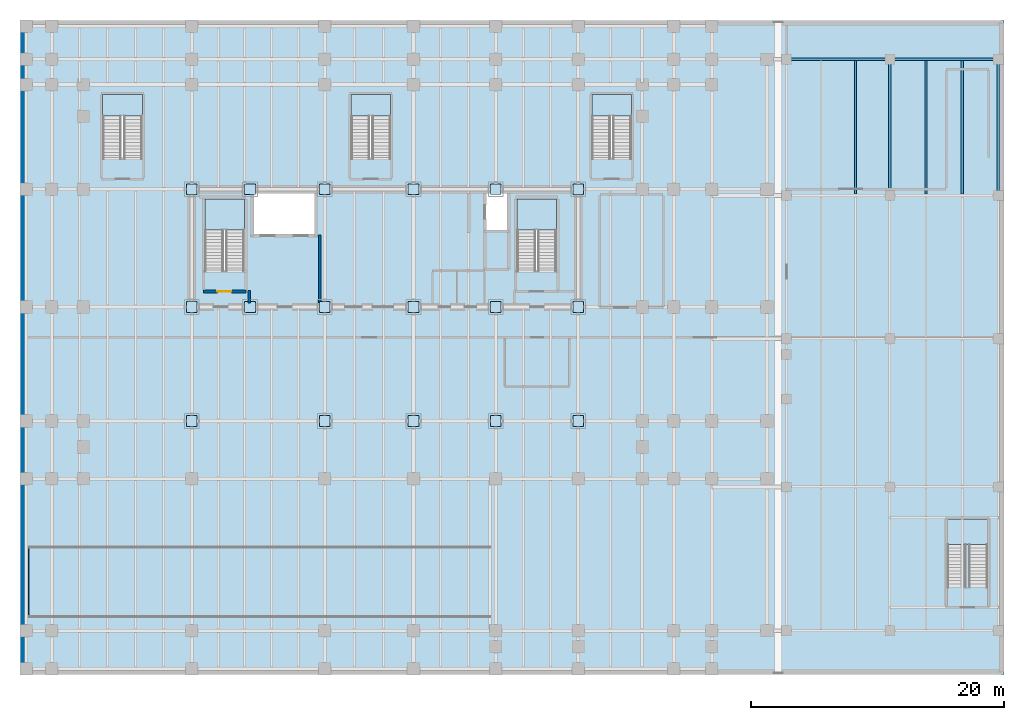
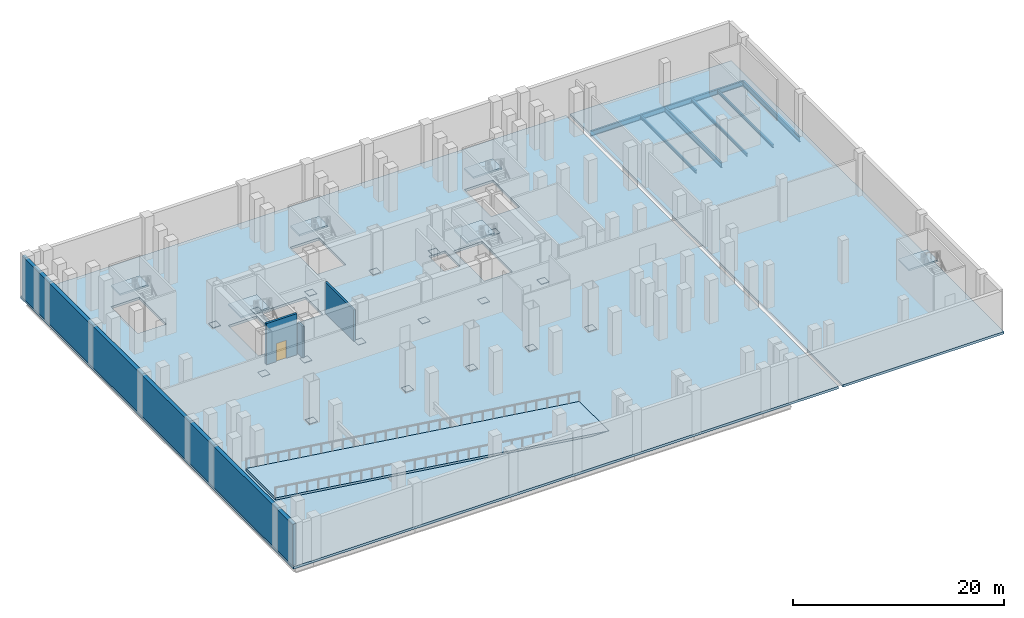
# One storey, part 7 of 18: 17 plates, 9 slabs, 7 beams, 4 walls, 1 door, 8 openings, 6 elements without a shape of their own.
"""IFC4 building model written with IfcOpenShell, lengths in metres."""

from ifc_helpers import new_model, si_unit, direction, frame, frame_2d, origin, origin_2d, place, context, subcontext, project, spatial, polyline, rectangle, i_section, outline, extrude, material, layer, layer_set, material_profile, profile_set, type_object, element, fill, aggregate, save


model = new_model("IFC4")

# Units and contexts
model_context = context("Model", 3, precision=1e-05, world=origin(), true_north=direction((0.0, 1.0)))
body_context = subcontext(model_context, "Body", "Model", "MODEL_VIEW")
ifc_project = project(units=[si_unit("LENGTHUNIT", "METRE"), si_unit("AREAUNIT", "SQUARE_METRE"), si_unit("VOLUMEUNIT", "CUBIC_METRE"), si_unit("PLANEANGLEUNIT", "RADIAN"), si_unit("MASSUNIT", "GRAM", prefix="KILO")], contexts=[model_context])

# Site, building, storey
site_placement = place(None, origin())
site = spatial("IfcSite", under=ifc_project, at=site_placement, CompositionType="ELEMENT")
building_placement = place(site_placement, origin())
building = spatial("IfcBuilding", under=site, at=building_placement, Name="Noeulbin Bourse Tower", CompositionType="ELEMENT")
storey_placement = place(building_placement, frame((0.0, 0.0, -5.0)))
storey = spatial("IfcBuildingStorey", under=building, at=storey_placement, Name="B01", CompositionType="ELEMENT", Elevation=-5.0)

# Beams
ifc_material_1 = material(Name="Steel S355", Category="steel")
ifc_material_profile_1 = material_profile(ifc_material_1, i_section(OverallWidth=0.199951171875, OverallDepth=0.60009765625, WebThickness=0.010986328125, FlangeThickness=0.01708984375, FilletRadius=0.02197265625, at=origin_2d()), Name="H-600x200x11x17", Category="LoadBearing")
ifc_profile_set_1 = profile_set([ifc_material_profile_1], Name="Steel S355")
beam_type_1 = type_object("IfcBeamType", Name="BM-GRD-600", PredefinedType="USERDEFINED", material=ifc_profile_set_1)
beam_1_placement = place(storey_placement, frame((60.449951171875, 48.550048828125, -0.580078125), z_axis=(1.0, 0.0, 0.0), x_axis=(0.0, 1.0, 0.0)))
element("IfcBeam", 1, at=beam_1_placement, inside=storey, type_object=beam_type_1, Name="Market Hall Girder EW B01-09", ObjectType="GIRDER", PredefinedType="USERDEFINED", context=body_context, shape_type="SweptSolid", body=[
    extrude(i_section(OverallWidth=0.199951171875, OverallDepth=0.60009765625, WebThickness=0.010986328125, FlangeThickness=0.01708984375, FilletRadius=0.02197265625, at=origin_2d()), origin(), (0.0, 0.0, 1.0), 8.150146484375),
])
beam_2_placement = place(storey_placement, frame((68.60009765625, 48.550048828125, -0.580078125), z_axis=(1.0, 0.0, 0.0), x_axis=(0.0, 1.0, 0.0)))
element("IfcBeam", 2, at=beam_2_placement, inside=storey, type_object=beam_type_1, Name="Market Hall Girder EW B01-10", ObjectType="GIRDER", PredefinedType="USERDEFINED", context=body_context, shape_type="SweptSolid", body=[
    extrude(i_section(OverallWidth=0.199951171875, OverallDepth=0.60009765625, WebThickness=0.010986328125, FlangeThickness=0.01708984375, FilletRadius=0.02197265625, at=origin_2d()), origin(), (0.0, 0.0, 1.0), 8.5498046875),
])
for number, where, z_axis, x_axis, name in (
    (3, (68.60009765625, 37.800048828125, -0.580078125), (0.0, 1.0, 0.0), (-1.0, 0.0, 0.0), "Market Hall Girder NS B01-18"),
    (4, (77.14990234375, 37.800048828125, -0.580078125), (0.0, 1.0, 0.0), (-1.0, 0.0, 0.0), "Market Hall Girder NS B01-22"),
):
    element("IfcBeam", number, at=place(storey_placement, frame(where, z_axis=z_axis, x_axis=x_axis)), inside=storey, type_object=beam_type_1, Name=name, ObjectType="GIRDER", PredefinedType="USERDEFINED", context=body_context, shape_type="SweptSolid", body=[
        extrude(i_section(OverallWidth=0.199951171875, OverallDepth=0.60009765625, WebThickness=0.010986328125, FlangeThickness=0.01708984375, FilletRadius=0.02197265625, at=origin_2d()), origin(), (0.0, 0.0, 1.0), 10.75),
    ])
ifc_material_profile_2 = material_profile(ifc_material_1, i_section(OverallWidth=0.175048828125, OverallDepth=0.35009765625, WebThickness=0.007080078125, FlangeThickness=0.010986328125, FilletRadius=0.013916015625, at=origin_2d()), Name="H-350x175x7x11", Category="LoadBearing")
ifc_profile_set_2 = profile_set([ifc_material_profile_2], Name="Steel S355")
beam_type_2 = type_object("IfcBeamType", Name="BM-JST-350", PredefinedType="JOIST", material=ifc_profile_set_2)
for number, where, z_axis, x_axis, name in (
    (5, (65.88330078125, 37.89990234375, -0.455078125), (0.0, 1.0, 0.0), (-1.0, 0.0, 0.0), "Market Hall Secondary Joist B01-08"),
    (6, (71.449951171875, 37.89990234375, -0.455078125), (0.0, 1.0, 0.0), (-1.0, 0.0, 0.0), "Market Hall Secondary Joist B01-12"),
    (7, (74.300048828125, 37.89990234375, -0.455078125), (0.0, 1.0, 0.0), (-1.0, 0.0, 0.0), "Market Hall Secondary Joist B01-16"),
):
    element("IfcBeam", number, at=place(storey_placement, frame(where, z_axis=z_axis, x_axis=x_axis)), inside=storey, type_object=beam_type_2, Name=name, PredefinedType="JOIST", context=body_context, shape_type="SweptSolid", body=[
        extrude(i_section(OverallWidth=0.175048828125, OverallDepth=0.35009765625, WebThickness=0.007080078125, FlangeThickness=0.010986328125, FilletRadius=0.013916015625, at=origin_2d()), origin(), (0.0, 0.0, 1.0), 10.550048828125),
    ])

# Plates
ifc_layer_1 = layer(ifc_material_1, 0.030029296875)
ifc_layer_set_1 = layer_set([ifc_layer_1], Name="Steel S355")
plate_type = type_object("IfcPlateType", Name="PLT-BN1", PredefinedType="USERDEFINED", material=ifc_layer_set_1)
for number, where, z_axis, x_axis, name in (
    (8, (13.5, 29.0, 0.0048828125), (0.0, 0.0, 1.0), (1.0, 0.0, 0.0), "Mega-Column Splice Plate BN1-B01-01"),
    (9, (13.5, 38.300048828125, 0.0048828125), (0.0, 0.0, 1.0), (1.0, 0.0, 0.0), "Mega-Column Splice Plate BN1-B01-02"),
    (10, (18.10009765625, 29.0, 0.0048828125), (0.0, 0.0, 1.0), (1.0, 0.0, 0.0), "Mega-Column Splice Plate BN1-B01-03"),
    (11, (18.10009765625, 38.300048828125, 0.0048828125), (0.0, 0.0, 1.0), (1.0, 0.0, 0.0), "Mega-Column Splice Plate BN1-B01-04"),
    (12, (24.0, 29.0, 0.0048828125), (0.0, 0.0, 1.0), (1.0, 0.0, 0.0), "Mega-Column Splice Plate BN1-B01-05"),
    (13, (24.0, 38.300048828125, 0.0048828125), (0.0, 0.0, 1.0), (1.0, 0.0, 0.0), "Mega-Column Splice Plate BN1-B01-06"),
    (14, (31.0, 29.0, 0.0048828125), (0.0, 0.0, 1.0), (1.0, 0.0, 0.0), "Mega-Column Splice Plate BN1-B01-07"),
    (15, (31.0, 38.300048828125, 0.0048828125), (0.0, 0.0, 1.0), (1.0, 0.0, 0.0), "Mega-Column Splice Plate BN1-B01-08"),
    (16, (37.5, 29.0, 0.0048828125), (0.0, 0.0, 1.0), (1.0, 0.0, 0.0), "Mega-Column Splice Plate BN1-B01-09"),
    (17, (37.5, 38.300048828125, 0.0048828125), (0.0, 0.0, 1.0), (1.0, 0.0, 0.0), "Mega-Column Splice Plate BN1-B01-10"),
    (18, (44.0, 29.0, 0.0048828125), (0.0, 0.0, 1.0), (1.0, 0.0, 0.0), "Mega-Column Splice Plate BN1-B01-11"),
    (19, (44.0, 38.300048828125, 0.0048828125), (0.0, 0.0, 1.0), (1.0, 0.0, 0.0), "Mega-Column Splice Plate BN1-B01-12"),
    (20, (13.5, 20.0, 0.0048828125), (0.0, 0.0, 1.0), (1.0, 0.0, 0.0), "Mega-Column Splice Plate BN1-B01-13"),
    (21, (24.0, 20.0, 0.0048828125), (0.0, 0.0, 1.0), (1.0, 0.0, 0.0), "Mega-Column Splice Plate BN1-B01-14"),
    (22, (31.0, 20.0, 0.0048828125), (0.0, 0.0, 1.0), (1.0, 0.0, 0.0), "Mega-Column Splice Plate BN1-B01-15"),
    (23, (37.5, 20.0, 0.0048828125), (0.0, 0.0, 1.0), (1.0, 0.0, 0.0), "Mega-Column Splice Plate BN1-B01-16"),
    (24, (44.0, 20.0, 0.0048828125), (0.0, 0.0, 1.0), (1.0, 0.0, 0.0), "Mega-Column Splice Plate BN1-B01-17"),
):
    element("IfcPlate", number, at=place(storey_placement, frame(where, z_axis=z_axis, x_axis=x_axis)), inside=storey, type_object=plate_type, Name=name, ObjectType="SPLICE PLATE", PredefinedType="USERDEFINED", context=body_context, shape_type="SweptSolid", body=[
        extrude(rectangle(XDim=0.85009765625, YDim=0.85009765625, at=origin_2d()), origin(), (0.0, 0.0, 1.0), 0.030029296875),
    ])

# Stair, slab
ifc_material_2 = material(Name="Concrete C40/50", Category="concrete")
stair_type_1 = type_object("IfcStairType", Name="STR-CORE-1560", PredefinedType="HALF_TURN_STAIR", material=ifc_material_2)
stair_1_placement = place(storey_placement, origin())
stair_1 = element("IfcStair", 25, at=stair_1_placement, inside=storey, type_object=stair_type_1, Name="B01 ST-1", PredefinedType="HALF_TURN_STAIR")
ifc_layer_2 = layer(ifc_material_2, 0.199951171875)
ifc_layer_set_2 = layer_set([ifc_layer_2], Name="Concrete C40/50")
slab_type_1 = type_object("IfcSlabType", Name="SLB-LND-200", PredefinedType="LANDING", material=ifc_layer_set_2)
slab_1_placement = place(storey_placement, frame((0.0, 0.0, 2.300048828125)))
slab_1 = element("IfcSlab", 26, at=slab_1_placement, type_object=slab_type_1, Name="ST-1 landing 1", PredefinedType="LANDING", context=body_context, shape_type="SweptSolid", body=[
    extrude(outline(polyline([(17.64990234375, 35.0859375), (17.64990234375, 37.5439453125), (14.550048828125, 37.5439453125), (14.550048828125, 35.0859375), (17.64990234375, 35.0859375)])), origin(), (0.0, 0.0, 1.0), 0.199951171875),
])
aggregate(stair_1, [slab_1])

stair_2_placement = place(storey_placement, origin())
stair_2 = element("IfcStair", 27, at=stair_2_placement, inside=storey, type_object=stair_type_1, Name="B01 ST-2", PredefinedType="HALF_TURN_STAIR")
slab_2_placement = place(storey_placement, frame((0.0, 0.0, 2.300048828125)))
slab_2 = element("IfcSlab", 28, at=slab_2_placement, type_object=slab_type_1, Name="ST-2 landing 1", PredefinedType="LANDING", context=body_context, shape_type="SweptSolid", body=[
    extrude(outline(polyline([(42.280029296875, 35.0859375), (42.280029296875, 37.5439453125), (39.179931640625, 37.5439453125), (39.179931640625, 35.0859375), (42.280029296875, 35.0859375)])), origin(), (0.0, 0.0, 1.0), 0.199951171875),
])
aggregate(stair_2, [slab_2])

stair_type_2 = type_object("IfcStairType", Name="STR-AUX-1620", PredefinedType="HALF_TURN_STAIR", material=ifc_material_2)
stair_3_placement = place(storey_placement, origin())
stair_3 = element("IfcStair", 29, at=stair_3_placement, inside=storey, type_object=stair_type_2, Name="B01 ST-S1", PredefinedType="HALF_TURN_STAIR")
slab_3_placement = place(storey_placement, frame((0.0, 0.0, 2.300048828125)))
slab_3 = element("IfcSlab", 30, at=slab_3_placement, type_object=slab_type_1, Name="ST-S1 landing 1", PredefinedType="LANDING", context=body_context, shape_type="SweptSolid", body=[
    extrude(outline(polyline([(9.60009765625, 44.06005859375), (9.60009765625, 45.780029296875), (6.47998046875, 45.780029296875), (6.47998046875, 44.06005859375), (9.60009765625, 44.06005859375)])), origin(), (0.0, 0.0, 1.0), 0.199951171875),
])
aggregate(stair_3, [slab_3])

stair_4_placement = place(storey_placement, origin())
stair_4 = element("IfcStair", 31, at=stair_4_placement, inside=storey, type_object=stair_type_2, Name="B01 ST-S2", PredefinedType="HALF_TURN_STAIR")
slab_4_placement = place(storey_placement, frame((0.0, 0.0, 2.300048828125)))
slab_4 = element("IfcSlab", 32, at=slab_4_placement, type_object=slab_type_1, Name="ST-S2 landing 1", PredefinedType="LANDING", context=body_context, shape_type="SweptSolid", body=[
    extrude(outline(polyline([(29.199951171875, 44.06005859375), (29.199951171875, 45.780029296875), (26.080078125, 45.780029296875), (26.080078125, 44.06005859375), (29.199951171875, 44.06005859375)])), origin(), (0.0, 0.0, 1.0), 0.199951171875),
])
aggregate(stair_4, [slab_4])

stair_5_placement = place(storey_placement, origin())
stair_5 = element("IfcStair", 33, at=stair_5_placement, inside=storey, type_object=stair_type_2, Name="B01 ST-S3", PredefinedType="HALF_TURN_STAIR")
slab_5_placement = place(storey_placement, frame((0.0, 0.0, 2.300048828125)))
slab_5 = element("IfcSlab", 34, at=slab_5_placement, type_object=slab_type_1, Name="ST-S3 landing 1", PredefinedType="LANDING", context=body_context, shape_type="SweptSolid", body=[
    extrude(outline(polyline([(48.199951171875, 44.06005859375), (48.199951171875, 45.780029296875), (45.080078125, 45.780029296875), (45.080078125, 44.06005859375), (48.199951171875, 44.06005859375)])), origin(), (0.0, 0.0, 1.0), 0.199951171875),
])
aggregate(stair_5, [slab_5])

stair_type_3 = type_object("IfcStairType", Name="STR-MKT-1480", PredefinedType="HALF_TURN_STAIR", material=ifc_material_2)
stair_6_placement = place(storey_placement, origin())
stair_6 = element("IfcStair", 35, at=stair_6_placement, inside=storey, type_object=stair_type_3, Name="B01 MST-1", PredefinedType="HALF_TURN_STAIR")
slab_6_placement = place(storey_placement, frame((0.0, 0.0, 2.300048828125)))
slab_6 = element("IfcSlab", 36, at=slab_6_placement, type_object=slab_type_1, Name="MST-1 landing 1", PredefinedType="LANDING", context=body_context, shape_type="SweptSolid", body=[
    extrude(outline(polyline([(76.300048828125, 10.260009765625), (76.300048828125, 12.260009765625), (73.139892578125, 12.260009765625), (73.139892578125, 10.260009765625), (76.300048828125, 10.260009765625)])), origin(), (0.0, 0.0, 1.0), 0.199951171875),
])
aggregate(stair_6, [slab_6])

# Slab
ifc_layer_3 = layer(ifc_material_2, 0.25)
ifc_layer_set_3 = layer_set([ifc_layer_3], Name="Concrete C40/50")
slab_type_2 = type_object("IfcSlabType", Name="SLB-RMP-250", PredefinedType="FLOOR", material=ifc_layer_set_3)
slab_7_placement = place(storey_placement, frame((0.64990234375, 4.5, 5.0), z_axis=(0.136084242072, 0.0, 0.990697269129), x_axis=(0.990697269129, 0.0, -0.136084242072)))
element("IfcSlab", 37, at=slab_7_placement, inside=storey, type_object=slab_type_2, Name="Two-Way Car Park Vehicle Ramp Slab RMP-V1", PredefinedType="FLOOR", context=body_context, shape_type="SweptSolid", body=[
    extrude(outline(polyline([(0.0, 0.0), (36.741946928326456, 0.0), (36.741946928326456, 5.60009765625), (0.0, 5.60009765625), (0.0, 0.0)])), origin(), (0.0, 0.0, -1.0), 0.25),
])

# Slab, openings
ifc_layer_4 = layer(ifc_material_2, 0.280029296875)
ifc_layer_set_4 = layer_set([ifc_layer_4], Name="Concrete C40/50")
slab_type_3 = type_object("IfcSlabType", Name="SLB-SUB-280", PredefinedType="FLOOR", material=ifc_layer_set_4)
slab_8_placement = place(storey_placement, frame((0.0, 0.0, -0.280029296875)))
slab_8 = element("IfcSlab", 38, at=slab_8_placement, inside=storey, type_object=slab_type_3, Name="Substructure West Station Slab B01", PredefinedType="FLOOR", context=body_context, shape_type="SweptSolid", body=[
    extrude(outline(polyline([(0.0, 0.0), (59.550048828125, 0.0), (59.550048828125, 51.60009765625), (0.0, 51.60009765625), (0.0, 0.0)]), holes=[polyline([(17.64990234375, 31.81005859375), (17.64990234375, 37.5439453125), (14.550048828125, 37.5439453125), (14.550048828125, 31.81005859375), (17.64990234375, 31.81005859375)]), polyline([(42.280029296875, 31.81005859375), (42.280029296875, 37.5439453125), (39.179931640625, 37.5439453125), (39.179931640625, 31.81005859375), (42.280029296875, 31.81005859375)]), polyline([(9.60009765625, 40.679931640625), (9.60009765625, 45.780029296875), (6.47998046875, 45.780029296875), (6.47998046875, 40.679931640625), (9.60009765625, 40.679931640625)]), polyline([(29.199951171875, 40.679931640625), (29.199951171875, 45.780029296875), (26.080078125, 45.780029296875), (26.080078125, 40.679931640625), (29.199951171875, 40.679931640625)]), polyline([(48.199951171875, 40.679931640625), (48.199951171875, 45.780029296875), (45.080078125, 45.780029296875), (45.080078125, 40.679931640625), (48.199951171875, 40.679931640625)]), polyline([(18.35009765625, 34.699951171875), (23.25, 34.699951171875), (23.25, 37.949951171875), (18.35009765625, 37.949951171875), (18.35009765625, 34.699951171875)]), polyline([(36.699951171875, 35.050048828125), (38.449951171875, 35.050048828125), (38.449951171875, 37.949951171875), (36.699951171875, 37.949951171875), (36.699951171875, 35.050048828125)])]), origin(), (0.0, 0.0, 1.0), 0.280029296875),
])
opening_1_placement = place(slab_8_placement, frame((0.0, 0.0, -0.010009765625)))
element("IfcOpeningElement", 39, at=opening_1_placement, cuts=slab_8, Name="Slab Shaft Opening SLB-B01-MAIN-1", PredefinedType="OPENING", context=body_context, shape_type="SweptSolid", body=[
    extrude(outline(polyline([(17.64990234375, 31.81005859375), (17.64990234375, 37.5439453125), (14.550048828125, 37.5439453125), (14.550048828125, 31.81005859375), (17.64990234375, 31.81005859375)])), origin(), (0.0, 0.0, 1.0), 0.300048828125),
])
opening_2_placement = place(slab_8_placement, frame((0.0, 0.0, -0.010009765625)))
element("IfcOpeningElement", 40, at=opening_2_placement, cuts=slab_8, Name="Slab Shaft Opening SLB-B01-MAIN-2", PredefinedType="OPENING", context=body_context, shape_type="SweptSolid", body=[
    extrude(outline(polyline([(42.280029296875, 31.81005859375), (42.280029296875, 37.5439453125), (39.179931640625, 37.5439453125), (39.179931640625, 31.81005859375), (42.280029296875, 31.81005859375)])), origin(), (0.0, 0.0, 1.0), 0.300048828125),
])
opening_3_placement = place(slab_8_placement, frame((0.0, 0.0, -0.010009765625)))
element("IfcOpeningElement", 41, at=opening_3_placement, cuts=slab_8, Name="Slab Shaft Opening SLB-B01-MAIN-3", PredefinedType="OPENING", context=body_context, shape_type="SweptSolid", body=[
    extrude(outline(polyline([(9.60009765625, 40.679931640625), (9.60009765625, 45.780029296875), (6.47998046875, 45.780029296875), (6.47998046875, 40.679931640625), (9.60009765625, 40.679931640625)])), origin(), (0.0, 0.0, 1.0), 0.300048828125),
])
opening_4_placement = place(slab_8_placement, frame((0.0, 0.0, -0.010009765625)))
element("IfcOpeningElement", 42, at=opening_4_placement, cuts=slab_8, Name="Slab Shaft Opening SLB-B01-MAIN-4", PredefinedType="OPENING", context=body_context, shape_type="SweptSolid", body=[
    extrude(outline(polyline([(29.199951171875, 40.679931640625), (29.199951171875, 45.780029296875), (26.080078125, 45.780029296875), (26.080078125, 40.679931640625), (29.199951171875, 40.679931640625)])), origin(), (0.0, 0.0, 1.0), 0.300048828125),
])
opening_5_placement = place(slab_8_placement, frame((0.0, 0.0, -0.010009765625)))
element("IfcOpeningElement", 43, at=opening_5_placement, cuts=slab_8, Name="Slab Shaft Opening SLB-B01-MAIN-5", PredefinedType="OPENING", context=body_context, shape_type="SweptSolid", body=[
    extrude(outline(polyline([(48.199951171875, 40.679931640625), (48.199951171875, 45.780029296875), (45.080078125, 45.780029296875), (45.080078125, 40.679931640625), (48.199951171875, 40.679931640625)])), origin(), (0.0, 0.0, 1.0), 0.300048828125),
])
opening_6_placement = place(slab_8_placement, frame((0.0, 0.0, -0.010009765625)))
element("IfcOpeningElement", 44, at=opening_6_placement, cuts=slab_8, Name="Slab Shaft Opening SLB-B01-MAIN-6", PredefinedType="OPENING", context=body_context, shape_type="SweptSolid", body=[
    extrude(outline(polyline([(18.35009765625, 34.699951171875), (23.25, 34.699951171875), (23.25, 37.949951171875), (18.35009765625, 37.949951171875), (18.35009765625, 34.699951171875)])), origin(), (0.0, 0.0, 1.0), 0.300048828125),
])
opening_7_placement = place(slab_8_placement, frame((0.0, 0.0, -0.010009765625)))
element("IfcOpeningElement", 45, at=opening_7_placement, cuts=slab_8, Name="Slab Shaft Opening SLB-B01-MAIN-7", PredefinedType="OPENING", context=body_context, shape_type="SweptSolid", body=[
    extrude(outline(polyline([(36.699951171875, 35.050048828125), (38.449951171875, 35.050048828125), (38.449951171875, 37.949951171875), (36.699951171875, 37.949951171875), (36.699951171875, 35.050048828125)])), origin(), (0.0, 0.0, 1.0), 0.300048828125),
])

# Slab
slab_9_placement = place(storey_placement, frame((0.0, 0.0, -0.280029296875)))
element("IfcSlab", 46, at=slab_9_placement, inside=storey, type_object=slab_type_3, Name="Substructure East Market Slab B01", PredefinedType="FLOOR", context=body_context, shape_type="SweptSolid", body=[
    extrude(outline(polyline([(60.0, 0.0), (77.60009765625, 0.0), (77.60009765625, 51.60009765625), (60.0, 51.60009765625), (60.0, 0.0)])), origin(), (0.0, 0.0, 1.0), 0.280029296875),
])

# Walls
ifc_layer_5 = layer(ifc_material_2, 0.199951171875)
ifc_layer_set_5 = layer_set([ifc_layer_5], Name="Concrete C40/50")
wall_type_1 = type_object("IfcWallType", Name="WAL-FIRE-200", PredefinedType="STANDARD", material=ifc_layer_set_5)
wall_1_placement = place(storey_placement, frame((18.050048828125, 29.3349609375, 0.0), z_axis=(0.0, 0.0, 1.0), x_axis=(0.0, 1.0, 0.0)))
element("IfcWall", 47, at=wall_1_placement, inside=storey, type_object=wall_type_1, Name="Interior Partition Wall B01-14", PredefinedType="STANDARD", context=body_context, shape_type="SweptSolid", body=[
    extrude(rectangle(XDim=0.965087890625, YDim=0.199951171875, at=frame_2d((0.482421875, 0.0))), origin(), (0.0, 0.0, 1.0), 3.6298828125),
])
wall_2_placement = place(storey_placement, frame((23.60009765625, 29.3349609375, 0.0), z_axis=(0.0, 0.0, 1.0), x_axis=(0.0, 1.0, 0.0)))
element("IfcWall", 48, at=wall_2_placement, inside=storey, type_object=wall_type_1, Name="Interior Partition Wall B01-16", PredefinedType="STANDARD", context=body_context, shape_type="SweptSolid", body=[
    extrude(rectangle(XDim=5.364990234375, YDim=0.199951171875, at=frame_2d((2.6826171875, 0.0))), origin(), (0.0, 0.0, 1.0), 3.6298828125),
])
ifc_material_3 = material(Name="Concrete C50/60", Category="concrete")
ifc_layer_6 = layer(ifc_material_3, 0.39990234375)
ifc_layer_set_6 = layer_set([ifc_layer_6], Name="Concrete C50/60")
wall_type_2 = type_object("IfcWallType", Name="WAL-RET-400", PredefinedType="SOLIDWALL", material=ifc_layer_set_6)
wall_3_placement = place(storey_placement, frame((0.199951171875, 51.39990234375, 0.0), z_axis=(0.0, 0.0, 1.0), x_axis=(0.0, -1.0, 0.0)))
element("IfcWall", 49, at=wall_3_placement, inside=storey, type_object=wall_type_2, Name="Basement Perimeter Retaining Wall B01-W", PredefinedType="SOLIDWALL", context=body_context, shape_type="SweptSolid", body=[
    extrude(rectangle(XDim=51.199951171875, YDim=0.39990234375, at=frame_2d((25.60009765625, 0.0))), origin(), (0.0, 0.0, 1.0), 4.75),
])

# Wall, opening, door
ifc_layer_7 = layer(ifc_material_2, 0.25)
ifc_layer_set_7 = layer_set([ifc_layer_7], Name="Concrete C40/50")
wall_type_3 = type_object("IfcWallType", Name="WAL-SHFT-250", PredefinedType="STANDARD", material=ifc_layer_set_7)
wall_4_placement = place(storey_placement, frame((14.429931640625, 30.235107421875, 0.0), z_axis=(0.0, 0.0, 1.0), x_axis=(1.0, 0.0, 0.0)))
wall_4 = element("IfcWall", 50, at=wall_4_placement, inside=storey, type_object=wall_type_3, Name="Stair ST-1 South Shaft Wall B01", PredefinedType="STANDARD", context=body_context, shape_type="SweptSolid", body=[
    extrude(rectangle(XDim=3.340087890625, YDim=0.25, at=frame_2d((1.669921875, 0.0))), origin(), (0.0, 0.0, 1.0), 4.75),
])
opening_8_placement = place(wall_4_placement, frame((1.10009765625, 0.0, 0.0)))
opening_8 = element("IfcOpeningElement", 51, at=opening_8_placement, cuts=wall_4, Name="Opening FD-11", PredefinedType="OPENING", context=body_context, shape_type="SweptSolid", body=[
    extrude(rectangle(XDim=1.10009765625, YDim=2.080078125, at=frame_2d((0.550048828125, 1.0400390625))), frame((0.0, 0.135009765625, 0.0), z_axis=(0.0, -1.0, 0.0), x_axis=(1.0, 0.0, 0.0)), (0.0, 0.0, 1.0), 0.27001953125),
])
ifc_material_4 = material(Name="Fire-Rated Insulated Steel", Category="steel")
door_type = type_object("IfcDoorType", Name="DR-FD60-1100", OperationType="SINGLE_SWING_LEFT", PredefinedType="DOOR", material=ifc_material_4)
door_placement = place(opening_8_placement, origin())
door = element("IfcDoor", 52, at=door_placement, inside=storey, type_object=door_type, Name="Protected Stair Entry Door ST1-B01", OperationType="SINGLE_SWING_LEFT", OverallHeight=2.080078125, OverallWidth=1.10009765625, PredefinedType="DOOR", context=body_context, shape_type="SweptSolid", body=[
    extrude(rectangle(XDim=1.10009765625, YDim=2.080078125, at=frame_2d((0.550048828125, 1.0400390625))), frame((0.0, 0.02490234375, 0.0), z_axis=(0.0, -1.0, 0.0), x_axis=(1.0, 0.0, 0.0)), (0.0, 0.0, 1.0), 0.050048828125),
])
fill(opening_8, door)

save(model, "model.ifc")
